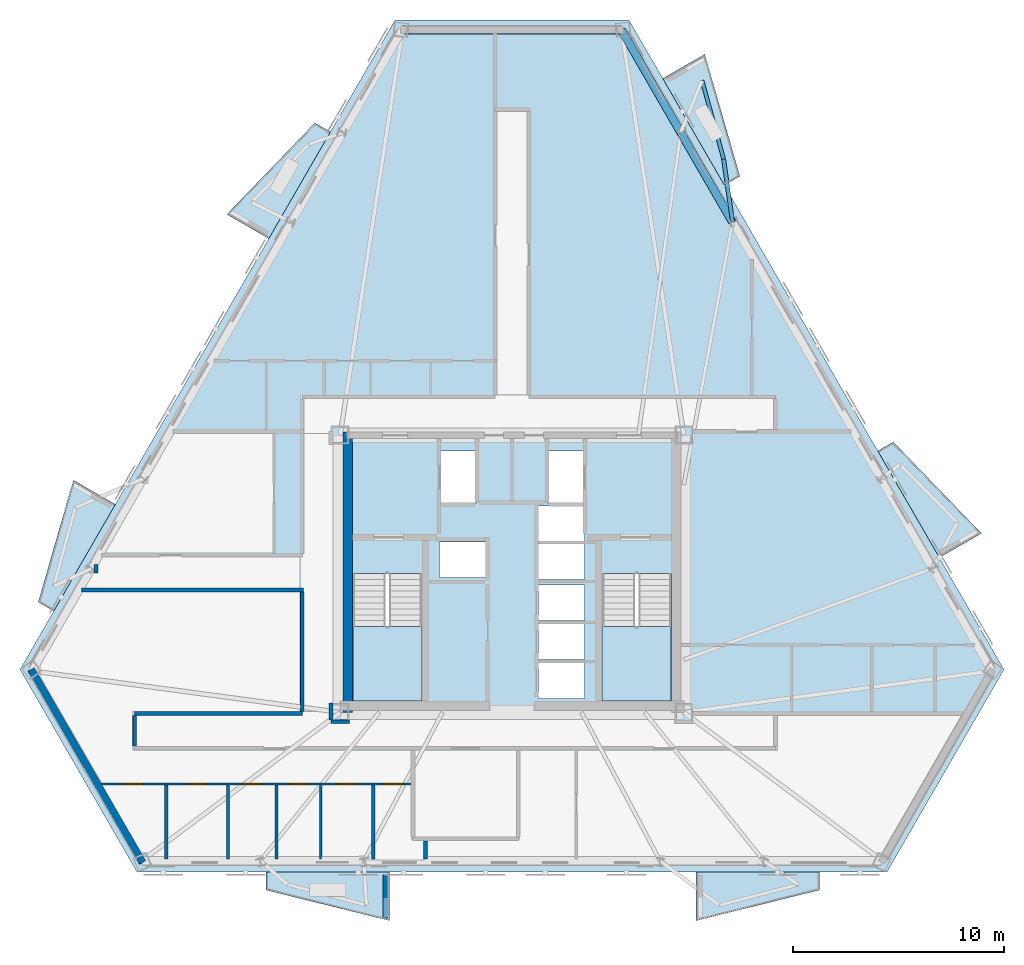
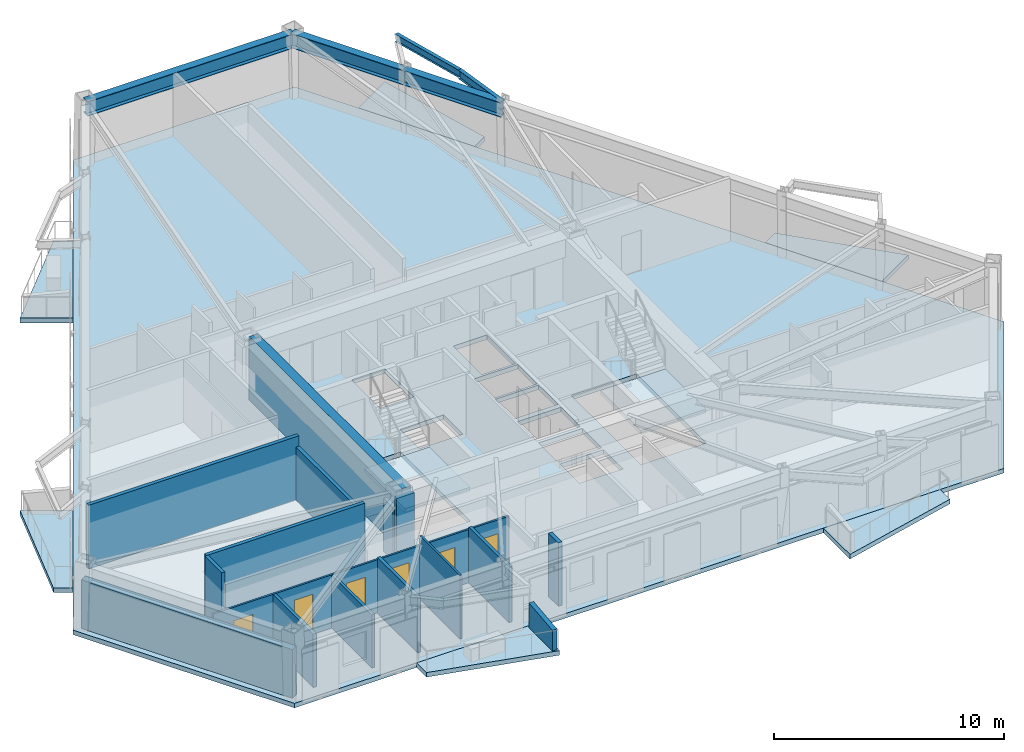
# One storey, part 2 of 9: 17 walls, 9 slabs, 6 doors, 5 beams, 6 openings, 2 elements without a shape of their own.
"""IFC4 building model written with IfcOpenShell, lengths in metres."""

from ifc_helpers import new_model, si_unit, direction, frame, frame_2d, origin, origin_2d, place, context, subcontext, project, spatial, polyline, rectangle, i_section, outline, extrude, material, layer, layer_set, material_profile, profile_set, type_object, element, fill, aggregate, save


model = new_model("IFC4")

# Units and contexts
model_context = context("Model", 3, precision=1e-05, world=origin(), true_north=direction((0.0, 1.0)))
body_context = subcontext(model_context, "Body", "Model", "MODEL_VIEW")
ifc_project = project(units=[si_unit("LENGTHUNIT", "METRE"), si_unit("AREAUNIT", "SQUARE_METRE"), si_unit("VOLUMEUNIT", "CUBIC_METRE"), si_unit("PLANEANGLEUNIT", "RADIAN"), si_unit("MASSUNIT", "GRAM", prefix="KILO")], contexts=[model_context])

# Site, building, storey
site_placement = place(None, origin())
site = spatial("IfcSite", under=ifc_project, at=site_placement, CompositionType="ELEMENT")
building_placement = place(site_placement, origin())
building = spatial("IfcBuilding", under=site, at=building_placement, Name="Oramaril Tower", CompositionType="ELEMENT")
storey_placement = place(building_placement, frame((0.0, 0.0, 126.60009765625)))
storey = spatial("IfcBuildingStorey", under=building, at=storey_placement, Name="L33", CompositionType="ELEMENT", Elevation=126.60009765625)

# Beams
ifc_material_1 = material(Name="Steel ASTM A572 Gr 50", Category="steel")
ifc_material_profile_1 = material_profile(ifc_material_1, i_section(OverallWidth=0.19091796875, OverallDepth=0.45703125, WebThickness=0.009033203125, FlangeThickness=0.014404296875, at=origin_2d()), Name="W18X50")
ifc_profile_set_1 = profile_set([ifc_material_profile_1], Name="Steel ASTM A572 Gr 50")
beam_type_1 = type_object("IfcBeamType", Name="BT-BB1", PredefinedType="BEAM", material=ifc_profile_set_1)
beam_1_placement = place(storey_placement, frame((47.965576171875, 34.25341796875, 3.13134765625), z_axis=(-0.140833448557, 0.990033302353, 0.0), x_axis=(-0.990033302353, -0.140833448557, 0.0)))
element("IfcBeam", 1, at=beam_1_placement, inside=storey, type_object=beam_type_1, Name="L33 Balcony Column-Framed Cantilever 04.1", PredefinedType="BEAM", context=body_context, shape_type="SweptSolid", body=[
    extrude(i_section(OverallWidth=0.19091796875, OverallDepth=0.45703125, WebThickness=0.009033203125, FlangeThickness=0.014404296875, at=origin_2d()), origin(), (0.0, 0.0, 1.0), 3.023193359375),
])
ifc_material_2 = material(Name="Steel ASTM A572 Gr 50", Category="steel")
ifc_material_profile_2 = material_profile(ifc_material_2, i_section(OverallWidth=0.177978515625, OverallDepth=0.404052734375, WebThickness=0.007568359375, FlangeThickness=0.010986328125, at=origin_2d()), Name="W16X36")
ifc_profile_set_2 = profile_set([ifc_material_profile_2], Name="Steel ASTM A572 Gr 50")
beam_type_2 = type_object("IfcBeamType", Name="BT-SB1", PredefinedType="BEAM", material=ifc_profile_set_2)
beam_2_placement = place(storey_placement, frame((47.539794921875, 37.24658203125, 3.157958984375), z_axis=(-0.264382243015, 0.964417974521, 0.0), x_axis=(-0.964417974521, -0.264382243015, 0.0)))
element("IfcBeam", 2, at=beam_2_placement, inside=storey, type_object=beam_type_2, Name="L33 Balcony Edge Tie Beam 04", PredefinedType="BEAM", context=body_context, shape_type="SweptSolid", body=[
    extrude(i_section(OverallWidth=0.177978515625, OverallDepth=0.404052734375, WebThickness=0.007568359375, FlangeThickness=0.010986328125, at=origin_2d()), origin(), (0.0, 0.0, 1.0), 3.8701171875),
])
ifc_material_3 = material(Name="Steel ASTM A572 Gr 50", Category="steel")
ifc_material_profile_3 = material_profile(ifc_material_3, i_section(OverallWidth=0.381103515625, OverallDepth=0.77197265625, WebThickness=0.0166015625, FlangeThickness=0.027099609375, at=origin_2d()), Name="W30X173")
ifc_profile_set_3 = profile_set([ifc_material_profile_3], Name="Steel ASTM A572 Gr 50")
beam_type_3 = type_object("IfcBeamType", Name="BT-SP2", PredefinedType="SPANDREL", material=ifc_profile_set_3)
beam_3_placement = place(storey_placement, frame((47.965576171875, 34.25341796875, 2.973876953125), z_axis=(-0.499994660107, 0.866028486751, 0.0), x_axis=(-0.866028486751, -0.499994660107, 0.0)))
element("IfcBeam", 3, at=beam_3_placement, inside=storey, type_object=beam_type_3, Name="L33 Perimeter Spandrel 11", PredefinedType="SPANDREL", context=body_context, shape_type="SweptSolid", body=[
    extrude(i_section(OverallWidth=0.381103515625, OverallDepth=0.77197265625, WebThickness=0.0166015625, FlangeThickness=0.027099609375, at=origin_2d()), origin(), (0.0, 0.0, 1.0), 4.9169921875),
])
beam_4_placement = place(storey_placement, frame((45.507080078125, 38.51171875, 2.973876953125), z_axis=(-0.50002206238, 0.866012665689, 0.0), x_axis=(-0.866012665689, -0.50002206238, 0.0)))
element("IfcBeam", 4, at=beam_4_placement, inside=storey, type_object=beam_type_3, Name="L33 Perimeter Spandrel 12", PredefinedType="SPANDREL", context=body_context, shape_type="SweptSolid", body=[
    extrude(i_section(OverallWidth=0.381103515625, OverallDepth=0.77197265625, WebThickness=0.0166015625, FlangeThickness=0.027099609375, at=origin_2d()), origin(), (0.0, 0.0, 1.0), 5.619384765625),
])
beam_5_placement = place(storey_placement, frame((42.697265625, 43.378173828125, 2.973876953125), z_axis=(-1.0, 0.0, 0.0), x_axis=(0.0, -1.0, 0.0)))
element("IfcBeam", 5, at=beam_5_placement, inside=storey, type_object=beam_type_3, Name="L33 Perimeter Spandrel 13", PredefinedType="SPANDREL", context=body_context, shape_type="SweptSolid", body=[
    extrude(i_section(OverallWidth=0.381103515625, OverallDepth=0.77197265625, WebThickness=0.0166015625, FlangeThickness=0.027099609375, at=origin_2d()), origin(), (0.0, 0.0, 1.0), 10.39453125),
])

# Slabs
ifc_material_4 = material(Name="Concrete C40/50", Category="concrete")
ifc_layer_1 = layer(ifc_material_4, 0.199951171875)
ifc_layer_set_1 = layer_set([ifc_layer_1], Name="SLT-BAL20")
slab_type_1 = type_object("IfcSlabType", Name="SLT-BAL20", PredefinedType="FLOOR", material=ifc_layer_set_1)
slab_1_placement = place(storey_placement, frame((0.0, 0.0, -0.239990234375)))
element("IfcSlab", 6, at=slab_1_placement, inside=storey, type_object=slab_type_1, Name="L33 Cantilevered Balcony Slab L33-BAL-S2", PredefinedType="FLOOR", context=body_context, shape_type="SweptSolid", body=[
    extrude(outline(polyline([(46.239990234375, 3.42041015625), (52.090087890625, 3.42041015625), (52.090087890625, 2.568359375), (46.239990234375, 1.118408203125), (46.239990234375, 3.42041015625)])), origin(), (0.0, 0.0, 1.0), 0.239990234375),
])
slab_2_placement = place(storey_placement, frame((0.0, 0.0, -0.239990234375)))
element("IfcSlab", 7, at=slab_2_placement, inside=storey, type_object=slab_type_1, Name="L33 Cantilevered Balcony Slab L33-BAL-NE1", PredefinedType="FLOOR", context=body_context, shape_type="SweptSolid", body=[
    extrude(outline(polyline([(57.777587890625, 18.33740234375), (54.8525390625, 23.40380859375), (55.59033203125, 23.829833984375), (59.771240234375, 19.488525390625), (57.777587890625, 18.33740234375)])), origin(), (0.0, 0.0, 1.0), 0.239990234375),
])
slab_3_placement = place(storey_placement, frame((0.0, 0.0, -0.239990234375)))
element("IfcSlab", 8, at=slab_3_placement, inside=storey, type_object=slab_type_1, Name="L33 Cantilevered Balcony Slab L33-BAL-NW2", PredefinedType="FLOOR", context=body_context, shape_type="SweptSolid", body=[
    extrude(outline(polyline([(18.684814453125, 20.87060546875), (15.760009765625, 15.804443359375), (15.022216796875, 16.23046875), (16.69140625, 22.021484375), (18.684814453125, 20.87060546875)])), origin(), (0.0, 0.0, 1.0), 0.239990234375),
])
ifc_material_5 = material(Name="Concrete C50/60", Category="concrete")
ifc_layer_2 = layer(ifc_material_5, 0.239990234375)
ifc_layer_set_2 = layer_set([ifc_layer_2], Name="SLT-FLR24")
slab_type_2 = type_object("IfcSlabType", Name="SLT-FLR24", PredefinedType="FLOOR", material=ifc_layer_set_2)
slab_4_placement = place(storey_placement, frame((0.0, 0.0, -0.239990234375)))
element("IfcSlab", 9, at=slab_4_placement, inside=storey, type_object=slab_type_2, Name="L33 Structural Floor Slab", PredefinedType="FLOOR", context=body_context, shape_type="SweptSolid", body=[
    extrude(outline(polyline([(14.158203125, 13.0341796875), (19.7099609375, 3.418212890625), (55.2900390625, 3.418212890625), (60.841796875, 13.0341796875), (43.0517578125, 43.847412109375), (31.9482421875, 43.847412109375), (14.158203125, 13.0341796875)]), holes=[polyline([(29.949951171875, 17.58935546875), (29.949951171875, 11.550048828125), (33.219970703125, 11.550048828125), (33.219970703125, 17.58935546875), (29.949951171875, 17.58935546875)]), polyline([(41.780029296875, 17.58935546875), (41.780029296875, 11.550048828125), (45.050048828125, 11.550048828125), (45.050048828125, 17.58935546875), (41.780029296875, 17.58935546875)]), polyline([(34.110107421875, 20.909912109375), (35.7900390625, 20.909912109375), (35.7900390625, 23.389892578125), (34.110107421875, 23.389892578125), (34.110107421875, 20.909912109375)]), polyline([(39.2099609375, 20.909912109375), (40.889892578125, 20.909912109375), (40.889892578125, 23.389892578125), (39.2099609375, 23.389892578125), (39.2099609375, 20.909912109375)]), polyline([(38.760009765625, 11.659912109375), (40.93994140625, 11.659912109375), (40.93994140625, 13.340087890625), (38.760009765625, 13.340087890625), (38.760009765625, 11.659912109375)]), polyline([(38.760009765625, 13.510009765625), (40.93994140625, 13.510009765625), (40.93994140625, 15.18994140625), (38.760009765625, 15.18994140625), (38.760009765625, 13.510009765625)]), polyline([(38.760009765625, 15.360107421875), (40.93994140625, 15.360107421875), (40.93994140625, 17.0400390625), (38.760009765625, 17.0400390625), (38.760009765625, 15.360107421875)]), polyline([(34.06005859375, 17.409912109375), (36.239990234375, 17.409912109375), (36.239990234375, 19.090087890625), (34.06005859375, 19.090087890625), (34.06005859375, 17.409912109375)]), polyline([(38.760009765625, 17.31005859375), (40.93994140625, 17.31005859375), (40.93994140625, 18.989990234375), (38.760009765625, 18.989990234375), (38.760009765625, 17.31005859375)]), polyline([(38.760009765625, 19.110107421875), (40.93994140625, 19.110107421875), (40.93994140625, 20.7900390625), (38.760009765625, 20.7900390625), (38.760009765625, 19.110107421875)])]), origin(), (0.0, 0.0, 1.0), 0.239990234375),
])

# Stair, slab
ifc_material_6 = material(Name="Concrete C50/60", Category="concrete")
stair_type = type_object("IfcStairType", Name="STT-DG-3600", PredefinedType="HALF_TURN_STAIR", material=ifc_material_6)
stair_1_placement = place(storey_placement, origin())
stair_1 = element("IfcStair", 10, at=stair_1_placement, inside=storey, type_object=stair_type, Name="L33 Protected PFP Exit Stair ST-1", PredefinedType="HALF_TURN_STAIR")
ifc_material_7 = material(Name="Concrete C50/60", Category="concrete")
ifc_layer_3 = layer(ifc_material_7, 0.199951171875)
ifc_layer_set_3 = layer_set([ifc_layer_3], Name="SLT-LND20")
slab_type_3 = type_object("IfcSlabType", Name="SLT-LND20", PredefinedType="LANDING", material=ifc_layer_set_3)
slab_5_placement = place(storey_placement, frame((0.0, 0.0, 1.599853515625)))
slab_5 = element("IfcSlab", 11, at=slab_5_placement, type_object=slab_type_3, Name="ST-1 landing 1", PredefinedType="LANDING", context=body_context, shape_type="SweptSolid", body=[
    extrude(outline(polyline([(29.949951171875, 15.070068359375), (29.949951171875, 11.550048828125), (33.219970703125, 11.550048828125), (33.219970703125, 15.070068359375), (29.949951171875, 15.070068359375)])), origin(), (0.0, 0.0, 1.0), 0.199951171875),
])
aggregate(stair_1, [slab_5])

stair_2_placement = place(storey_placement, origin())
stair_2 = element("IfcStair", 12, at=stair_2_placement, inside=storey, type_object=stair_type, Name="L33 Protected PFP Exit Stair ST-2", PredefinedType="HALF_TURN_STAIR")
slab_6_placement = place(storey_placement, frame((0.0, 0.0, 1.599853515625)))
slab_6 = element("IfcSlab", 13, at=slab_6_placement, type_object=slab_type_3, Name="ST-2 landing 1", PredefinedType="LANDING", context=body_context, shape_type="SweptSolid", body=[
    extrude(outline(polyline([(41.780029296875, 15.070068359375), (41.780029296875, 11.550048828125), (45.050048828125, 11.550048828125), (45.050048828125, 15.070068359375), (41.780029296875, 15.070068359375)])), origin(), (0.0, 0.0, 1.0), 0.199951171875),
])
aggregate(stair_2, [slab_6])

# Slabs
ifc_material_8 = material(Name="Concrete C40/50", Category="concrete")
ifc_layer_4 = layer(ifc_material_8, 0.18994140625)
ifc_layer_set_4 = layer_set([ifc_layer_4], Name="SLT-PLN19")
slab_type_4 = type_object("IfcSlabType", Name="SLT-PLN19", PredefinedType="FLOOR", material=ifc_layer_set_4)
slab_7_placement = place(storey_placement, frame((0.0, 0.0, -0.239990234375)))
element("IfcSlab", 14, at=slab_7_placement, inside=storey, type_object=slab_type_4, Name="L33 Tree Planter Balcony Slab L33-BAL-S1", PredefinedType="FLOOR", context=body_context, shape_type="SweptSolid", body=[
    extrude(outline(polyline([(25.8349609375, 3.42041015625), (31.684814453125, 3.42041015625), (31.684814453125, 1.118408203125), (25.8349609375, 2.568359375), (25.8349609375, 3.42041015625)])), origin(), (0.0, 0.0, 1.0), 0.239990234375),
])
slab_8_placement = place(storey_placement, frame((0.0, 0.0, -0.239990234375)))
element("IfcSlab", 15, at=slab_8_placement, inside=storey, type_object=slab_type_4, Name="L33 Tree Planter Balcony Slab L33-BAL-NE2", PredefinedType="FLOOR", context=body_context, shape_type="SweptSolid", body=[
    extrude(outline(polyline([(47.574951171875, 36.009033203125), (44.64990234375, 41.0751953125), (46.6435546875, 42.226318359375), (48.312744140625, 36.43505859375), (47.574951171875, 36.009033203125)])), origin(), (0.0, 0.0, 1.0), 0.239990234375),
])
slab_9_placement = place(storey_placement, frame((0.0, 0.0, -0.239990234375)))
element("IfcSlab", 16, at=slab_9_placement, inside=storey, type_object=slab_type_4, Name="L33 Tree Planter Balcony Slab L33-BAL-NW1", PredefinedType="FLOOR", context=body_context, shape_type="SweptSolid", body=[
    extrude(outline(polyline([(28.887451171875, 38.5419921875), (25.96240234375, 33.475830078125), (23.968994140625, 34.626708984375), (28.149658203125, 38.968017578125), (28.887451171875, 38.5419921875)])), origin(), (0.0, 0.0, 1.0), 0.239990234375),
])

# Walls
ifc_material_9 = material(Name="Warm Cream Limestone", Category="masonry")
ifc_layer_5 = layer(ifc_material_9, 0.340087890625)
ifc_layer_set_5 = layer_set([ifc_layer_5], Name="WT-EXT34")
wall_type_1 = type_object("IfcWallType", Name="WT-EXT34", PredefinedType="SOLIDWALL", material=ifc_layer_set_5)
wall_1_placement = place(storey_placement, frame((14.689453125, 13.0341796875, 0.0), z_axis=(0.0, 0.0, 1.0), x_axis=(0.500003640647, -0.866023301845, 0.0)))
element("IfcWall", 17, at=wall_1_placement, inside=storey, type_object=wall_type_1, Name="L33 Tower Limestone Facade Wall 1M", PredefinedType="SOLIDWALL", context=body_context, shape_type="SweptSolid", body=[
    extrude(rectangle(XDim=10.572265625, YDim=0.340087890625, at=frame_2d((5.2861328125, 0.0))), origin(), (0.0, 0.0, 1.0), 2.577880859375),
])
ifc_material_10 = material(Name="Concrete C40/50", Category="concrete")
ifc_layer_6 = layer(ifc_material_10, 0.22998046875)
ifc_layer_set_6 = layer_set([ifc_layer_6], Name="WT-PRP23")
wall_type_2 = type_object("IfcWallType", Name="WT-PRP23", PredefinedType="PARAPET", material=ifc_layer_set_6)
wall_2_placement = place(storey_placement, frame((31.5048828125, 3.2802734375, 0.0), z_axis=(0.0, 0.0, 1.0), x_axis=(0.0, -1.0, 0.0)))
element("IfcWall", 18, at=wall_2_placement, inside=storey, type_object=wall_type_2, Name="L33 Trapezoidal Balcony Frame Cheek L33-BAL-S1-R", PredefinedType="PARAPET", context=body_context, shape_type="SweptSolid", body=[
    extrude(outline(polyline([(0.0, 0.0), (2.0419921875, 0.0), (2.0419921875, 1.099853515625), (0.0, 1.31982421875), (0.0, 0.0)])), frame((0.0, 0.114990234375, 0.0), z_axis=(0.0, -1.0, 0.0), x_axis=(1.0, 0.0, 0.0)), (0.0, 0.0, 1.0), 0.22998046875),
])

# Wall, openings, doors
ifc_material_11 = material(Name="Acoustic Gypsum Board Partition")
ifc_layer_7 = layer(ifc_material_11, 0.10009765625)
ifc_layer_set_7 = layer_set([ifc_layer_7], Name="WT-PT10")
wall_type_3 = type_object("IfcWallType", Name="WT-PT10", PredefinedType="PARTITIONING", material=ifc_layer_set_7)
wall_3_placement = place(storey_placement, frame((18.027587890625, 7.60009765625, 0.0), z_axis=(0.0, 0.0, 1.0), x_axis=(1.0, 0.0, 0.0)))
wall_3 = element("IfcWall", 19, at=wall_3_placement, inside=storey, type_object=wall_type_3, Name="L33 Interior Partition PT-10", PredefinedType="PARTITIONING", context=body_context, shape_type="SweptSolid", body=[
    extrude(rectangle(XDim=14.822509765625, YDim=0.10009765625, at=frame_2d((7.4111328125, 0.0))), origin(), (0.0, 0.0, 1.0), 2.81396484375),
])
opening_1_placement = place(wall_3_placement, frame((1.032958984375, 0.0, 0.0)))
opening_1 = element("IfcOpeningElement", 20, at=opening_1_placement, cuts=wall_3, Name="Opening D-L33-01", PredefinedType="OPENING", context=body_context, shape_type="SweptSolid", body=[
    extrude(rectangle(XDim=0.949951171875, YDim=2.10009765625, at=frame_2d((0.47509765625, 1.050048828125))), frame((0.0, 0.050048828125, 0.0), z_axis=(0.0, -1.0, 0.0), x_axis=(1.0, 0.0, 0.0)), (0.0, 0.0, 1.0), 0.10009765625),
])
opening_2_placement = place(wall_3_placement, frame((4.079833984375, 0.0, 0.0)))
opening_2 = element("IfcOpeningElement", 21, at=opening_2_placement, cuts=wall_3, Name="Opening D-L33-02", PredefinedType="OPENING", context=body_context, shape_type="SweptSolid", body=[
    extrude(rectangle(XDim=0.919921875, YDim=2.1201171875, at=frame_2d((0.4599609375, 1.06005859375))), frame((0.0, 0.050048828125, 0.0), z_axis=(0.0, -1.0, 0.0), x_axis=(1.0, 0.0, 0.0)), (0.0, 0.0, 1.0), 0.10009765625),
])
opening_3_placement = place(wall_3_placement, frame((6.6787109375, 0.0, 0.0)))
opening_3 = element("IfcOpeningElement", 22, at=opening_3_placement, cuts=wall_3, Name="Opening D-L33-03", PredefinedType="OPENING", context=body_context, shape_type="SweptSolid", body=[
    extrude(rectangle(XDim=0.949951171875, YDim=2.10009765625, at=frame_2d((0.47509765625, 1.050048828125))), frame((0.0, 0.050048828125, 0.0), z_axis=(0.0, -1.0, 0.0), x_axis=(1.0, 0.0, 0.0)), (0.0, 0.0, 1.0), 0.10009765625),
])
opening_4_placement = place(wall_3_placement, frame((8.874267578125, 0.0, 0.0)))
opening_4 = element("IfcOpeningElement", 23, at=opening_4_placement, cuts=wall_3, Name="Opening D-L33-04", PredefinedType="OPENING", context=body_context, shape_type="SweptSolid", body=[
    extrude(rectangle(XDim=0.949951171875, YDim=2.10009765625, at=frame_2d((0.47509765625, 1.050048828125))), frame((0.0, 0.050048828125, 0.0), z_axis=(0.0, -1.0, 0.0), x_axis=(1.0, 0.0, 0.0)), (0.0, 0.0, 1.0), 0.10009765625),
])
opening_5_placement = place(wall_3_placement, frame((11.16357421875, 0.0, 0.0)))
opening_5 = element("IfcOpeningElement", 24, at=opening_5_placement, cuts=wall_3, Name="Opening D-L33-05", PredefinedType="OPENING", context=body_context, shape_type="SweptSolid", body=[
    extrude(rectangle(XDim=0.949951171875, YDim=2.10009765625, at=frame_2d((0.47509765625, 1.050048828125))), frame((0.0, 0.050048828125, 0.0), z_axis=(0.0, -1.0, 0.0), x_axis=(1.0, 0.0, 0.0)), (0.0, 0.0, 1.0), 0.10009765625),
])
opening_6_placement = place(wall_3_placement, frame((13.40234375, 0.0, 0.0)))
opening_6 = element("IfcOpeningElement", 25, at=opening_6_placement, cuts=wall_3, Name="Opening D-L33-06", PredefinedType="OPENING", context=body_context, shape_type="SweptSolid", body=[
    extrude(rectangle(XDim=0.8798828125, YDim=2.080078125, at=frame_2d((0.43994140625, 1.0400390625))), frame((0.0, 0.050048828125, 0.0), z_axis=(0.0, -1.0, 0.0), x_axis=(1.0, 0.0, 0.0)), (0.0, 0.0, 1.0), 0.10009765625),
])
ifc_material_12 = material(Name="FSC Brazilian Freijo Hardwood", Category="wood")
door_type_1 = type_object("IfcDoorType", Name="DT-BATH", OperationType="NOTDEFINED", PredefinedType="DOOR", material=ifc_material_12)
door_1_placement = place(opening_6_placement, origin())
door_1 = element("IfcDoor", 26, at=door_1_placement, inside=storey, type_object=door_type_1, Name="L33 Flat L33-U2 Bathroom Door D-L33-06", OperationType="SINGLE_SWING_LEFT", OverallHeight=2.080078125, OverallWidth=0.8798828125, PredefinedType="DOOR", context=body_context, shape_type="SweptSolid", body=[
    extrude(rectangle(XDim=0.8798828125, YDim=2.080078125, at=frame_2d((0.43994140625, 1.0400390625))), frame((0.0, 0.02490234375, 0.0), z_axis=(0.0, -1.0, 0.0), x_axis=(1.0, 0.0, 0.0)), (0.0, 0.0, 1.0), 0.050048828125),
])
fill(opening_6, door_1)
ifc_material_13 = material(Name="FSC Brazilian Freijo Hardwood", Category="wood")
door_type_2 = type_object("IfcDoorType", Name="DT-BED", OperationType="NOTDEFINED", PredefinedType="DOOR", material=ifc_material_13)
door_2_placement = place(opening_2_placement, origin())
door_2 = element("IfcDoor", 27, at=door_2_placement, inside=storey, type_object=door_type_2, Name="L33 Flat L33-U2 Bedroom 2 Door D-L33-02", OperationType="SINGLE_SWING_LEFT", OverallHeight=2.1201171875, OverallWidth=0.919921875, PredefinedType="DOOR", context=body_context, shape_type="SweptSolid", body=[
    extrude(rectangle(XDim=0.919921875, YDim=2.1201171875, at=frame_2d((0.4599609375, 1.06005859375))), frame((0.0, 0.02490234375, 0.0), z_axis=(0.0, -1.0, 0.0), x_axis=(1.0, 0.0, 0.0)), (0.0, 0.0, 1.0), 0.050048828125),
])
fill(opening_2, door_2)
ifc_material_14 = material(Name="FSC Brazilian Freijo Hardwood", Category="wood")
door_type_3 = type_object("IfcDoorType", Name="DT-STDY", OperationType="NOTDEFINED", PredefinedType="DOOR", material=ifc_material_14)
door_3_placement = place(opening_1_placement, origin())
door_3 = element("IfcDoor", 28, at=door_3_placement, inside=storey, type_object=door_type_3, Name="L33 Flat L33-U2 Breakfast Dining Room Door D-L33-01", OperationType="SINGLE_SWING_RIGHT", OverallHeight=2.10009765625, OverallWidth=0.949951171875, PredefinedType="DOOR", context=body_context, shape_type="SweptSolid", body=[
    extrude(rectangle(XDim=0.949951171875, YDim=2.10009765625, at=frame_2d((0.47509765625, 1.050048828125))), frame((0.0, 0.02490234375, 0.0), z_axis=(0.0, -1.0, 0.0), x_axis=(1.0, 0.0, 0.0)), (0.0, 0.0, 1.0), 0.050048828125),
])
fill(opening_1, door_3)
door_4_placement = place(opening_3_placement, origin())
door_4 = element("IfcDoor", 29, at=door_4_placement, inside=storey, type_object=door_type_3, Name="L33 Flat L33-U2 Breakfast Dining Room Door D-L33-03", OperationType="SINGLE_SWING_RIGHT", OverallHeight=2.10009765625, OverallWidth=0.949951171875, PredefinedType="DOOR", context=body_context, shape_type="SweptSolid", body=[
    extrude(rectangle(XDim=0.949951171875, YDim=2.10009765625, at=frame_2d((0.47509765625, 1.050048828125))), frame((0.0, 0.02490234375, 0.0), z_axis=(0.0, -1.0, 0.0), x_axis=(1.0, 0.0, 0.0)), (0.0, 0.0, 1.0), 0.050048828125),
])
fill(opening_3, door_4)
door_5_placement = place(opening_4_placement, origin())
door_5 = element("IfcDoor", 30, at=door_5_placement, inside=storey, type_object=door_type_3, Name="L33 Flat L33-U2 Private Dining Room Door D-L33-04", OperationType="SINGLE_SWING_LEFT", OverallHeight=2.10009765625, OverallWidth=0.949951171875, PredefinedType="DOOR", context=body_context, shape_type="SweptSolid", body=[
    extrude(rectangle(XDim=0.949951171875, YDim=2.10009765625, at=frame_2d((0.47509765625, 1.050048828125))), frame((0.0, 0.02490234375, 0.0), z_axis=(0.0, -1.0, 0.0), x_axis=(1.0, 0.0, 0.0)), (0.0, 0.0, 1.0), 0.050048828125),
])
fill(opening_4, door_5)
door_6_placement = place(opening_5_placement, origin())
door_6 = element("IfcDoor", 31, at=door_6_placement, inside=storey, type_object=door_type_3, Name="L33 Flat L33-U2 Kitchen Door D-L33-05", OperationType="SINGLE_SWING_RIGHT", OverallHeight=2.10009765625, OverallWidth=0.949951171875, PredefinedType="DOOR", context=body_context, shape_type="SweptSolid", body=[
    extrude(rectangle(XDim=0.949951171875, YDim=2.10009765625, at=frame_2d((0.47509765625, 1.050048828125))), frame((0.0, 0.02490234375, 0.0), z_axis=(0.0, -1.0, 0.0), x_axis=(1.0, 0.0, 0.0)), (0.0, 0.0, 1.0), 0.050048828125),
])
fill(opening_5, door_6)

# Walls
wall_4_placement = place(storey_placement, frame((28.419921875, 4.05224609375, 0.0), z_axis=(0.0, 0.0, 1.0), x_axis=(0.0, 1.0, 0.0)))
element("IfcWall", 32, at=wall_4_placement, inside=storey, type_object=wall_type_3, Name="L33 Interior Partition PT-10", PredefinedType="PARTITIONING", context=body_context, shape_type="SweptSolid", body=[
    extrude(rectangle(XDim=3.49365234375, YDim=0.10009765625, at=frame_2d((1.746826171875, 0.0))), origin(), (0.0, 0.0, 1.0), 3.35986328125),
])
ifc_material_15 = material(Name="Acoustic Gypsum Board Partition")
ifc_layer_8 = layer(ifc_material_15, 0.139892578125)
ifc_layer_set_8 = layer_set([ifc_layer_8], Name="WT-PT14")
wall_type_4 = type_object("IfcWallType", Name="WT-PT14", PredefinedType="PARTITIONING", material=ifc_layer_set_8)
wall_5_placement = place(storey_placement, frame((24.030029296875, 4.05224609375, 0.0), z_axis=(0.0, 0.0, 1.0), x_axis=(0.0, 1.0, 0.0)))
element("IfcWall", 33, at=wall_5_placement, inside=storey, type_object=wall_type_4, Name="L33 Interior Partition PT-14", PredefinedType="PARTITIONING", context=body_context, shape_type="SweptSolid", body=[
    extrude(rectangle(XDim=3.49365234375, YDim=0.139892578125, at=frame_2d((1.746826171875, 0.0))), origin(), (0.0, 0.0, 1.0), 2.81396484375),
])
ifc_material_16 = material(Name="Acoustic Gypsum Board Partition")
ifc_layer_9 = layer(ifc_material_16, 0.159912109375)
ifc_layer_set_9 = layer_set([ifc_layer_9], Name="WT-PT16")
wall_type_5 = type_object("IfcWallType", Name="WT-PT16", PredefinedType="PARTITIONING", material=ifc_layer_set_9)
wall_6_placement = place(storey_placement, frame((21.10009765625, 4.05224609375, 0.0), z_axis=(0.0, 0.0, 1.0), x_axis=(0.0, 1.0, 0.0)))
element("IfcWall", 34, at=wall_6_placement, inside=storey, type_object=wall_type_5, Name="L33 Interior Partition PT-16", PredefinedType="PARTITIONING", context=body_context, shape_type="SweptSolid", body=[
    extrude(rectangle(XDim=3.49365234375, YDim=0.159912109375, at=frame_2d((1.746826171875, 0.0))), origin(), (0.0, 0.0, 1.0), 2.81396484375),
])
for number, where, z_axis, x_axis, name in (
    (35, (26.330078125, 4.05224609375, 0.0), (0.0, 0.0, 1.0), (0.0, 1.0, 0.0), "L33 Interior Partition PT-16"),
    (36, (30.909912109375, 4.05224609375, 0.0), (0.0, 0.0, 1.0), (0.0, 1.0, 0.0), "L33 Interior Partition PT-16"),
):
    element("IfcWall", number, at=place(storey_placement, frame(where, z_axis=z_axis, x_axis=x_axis)), inside=storey, type_object=wall_type_5, Name=name, PredefinedType="PARTITIONING", context=body_context, shape_type="SweptSolid", body=[
        extrude(rectangle(XDim=3.49365234375, YDim=0.159912109375, at=frame_2d((1.746826171875, 0.0))), origin(), (0.0, 0.0, 1.0), 2.94580078125),
    ])
ifc_material_17 = material(Name="Autoclaved Cellular Concrete Block", Category="concrete")
ifc_layer_10 = layer(ifc_material_17, 0.179931640625)
ifc_layer_set_10 = layer_set([ifc_layer_10], Name="WT-PT18")
wall_type_6 = type_object("IfcWallType", Name="WT-PT18", PredefinedType="PARTITIONING", material=ifc_layer_set_10)
wall_7_placement = place(storey_placement, frame((28.905029296875, 10.550048828125, 0.0), z_axis=(0.0, 0.0, 1.0), x_axis=(1.0, 0.0, 0.0)))
element("IfcWall", 37, at=wall_7_placement, inside=storey, type_object=wall_type_6, Name="L33 Interior Partition PT-18", PredefinedType="PARTITIONING", context=body_context, shape_type="SweptSolid", body=[
    extrude(rectangle(XDim=0.889892578125, YDim=0.179931640625, at=frame_2d((0.44482421875, 0.0))), origin(), (0.0, 0.0, 1.0), 3.35986328125),
])
wall_8_placement = place(storey_placement, frame((19.60009765625, 10.949951171875, 0.0), z_axis=(0.0, 0.0, 1.0), x_axis=(1.0, 0.0, 0.0)))
element("IfcWall", 38, at=wall_8_placement, inside=storey, type_object=wall_type_6, Name="L33 Interior Partition PT-18", PredefinedType="PARTITIONING", context=body_context, shape_type="SweptSolid", body=[
    extrude(rectangle(XDim=7.949951171875, YDim=0.179931640625, at=frame_2d((3.97509765625, 0.0))), origin(), (0.0, 0.0, 1.0), 3.35986328125),
])
wall_9_placement = place(storey_placement, frame((17.064697265625, 16.800048828125, 0.0), z_axis=(0.0, 0.0, 1.0), x_axis=(1.0, 0.0, 0.0)))
element("IfcWall", 39, at=wall_9_placement, inside=storey, type_object=wall_type_6, Name="L33 Interior Partition PT-18", PredefinedType="PARTITIONING", context=body_context, shape_type="SweptSolid", body=[
    extrude(rectangle(XDim=10.54541015625, YDim=0.179931640625, at=frame_2d((5.272705078125, 0.0))), origin(), (0.0, 0.0, 1.0), 3.35986328125),
])
wall_10_placement = place(storey_placement, frame((17.77001953125, 17.60546875, 0.0), z_axis=(0.0, 0.0, 1.0), x_axis=(0.0, 1.0, 0.0)))
element("IfcWall", 40, at=wall_10_placement, inside=storey, type_object=wall_type_6, Name="L33 Interior Partition PT-18", PredefinedType="PARTITIONING", context=body_context, shape_type="SweptSolid", body=[
    extrude(rectangle(XDim=0.41650390625, YDim=0.179931640625, at=frame_2d((0.208251953125, 0.0))), origin(), (0.0, 0.0, 1.0), 2.577880859375),
])
wall_11_placement = place(storey_placement, frame((19.60009765625, 9.39404296875, 0.0), z_axis=(0.0, 0.0, 1.0), x_axis=(0.0, 1.0, 0.0)))
element("IfcWall", 41, at=wall_11_placement, inside=storey, type_object=wall_type_6, Name="L33 Interior Partition PT-18", PredefinedType="PARTITIONING", context=body_context, shape_type="SweptSolid", body=[
    extrude(rectangle(XDim=1.4619140625, YDim=0.179931640625, at=frame_2d((0.73095703125, 0.0))), origin(), (0.0, 0.0, 1.0), 3.35986328125),
])
wall_12_placement = place(storey_placement, frame((27.550048828125, 11.0439453125, 0.0), z_axis=(0.0, 0.0, 1.0), x_axis=(0.0, 1.0, 0.0)))
element("IfcWall", 42, at=wall_12_placement, inside=storey, type_object=wall_type_6, Name="L33 Interior Partition PT-18", PredefinedType="PARTITIONING", context=body_context, shape_type="SweptSolid", body=[
    extrude(rectangle(XDim=5.662109375, YDim=0.179931640625, at=frame_2d((2.8310546875, 0.0))), origin(), (0.0, 0.0, 1.0), 2.81396484375),
])
wall_13_placement = place(storey_placement, frame((28.909912109375, 10.64404296875, 0.0), z_axis=(0.0, 0.0, 1.0), x_axis=(0.0, 1.0, 0.0)))
element("IfcWall", 43, at=wall_13_placement, inside=storey, type_object=wall_type_6, Name="L33 Interior Partition PT-18", PredefinedType="PARTITIONING", context=body_context, shape_type="SweptSolid", body=[
    extrude(rectangle(XDim=0.7958984375, YDim=0.179931640625, at=frame_2d((0.39794921875, 0.0))), origin(), (0.0, 0.0, 1.0), 2.81396484375),
])
wall_14_placement = place(storey_placement, frame((33.39990234375, 4.05224609375, 0.0), z_axis=(0.0, 0.0, 1.0), x_axis=(0.0, 1.0, 0.0)))
element("IfcWall", 44, at=wall_14_placement, inside=storey, type_object=wall_type_6, Name="L33 Interior Partition PT-18", PredefinedType="PARTITIONING", context=body_context, shape_type="SweptSolid", body=[
    extrude(rectangle(XDim=0.853759765625, YDim=0.179931640625, at=frame_2d((0.4267578125, 0.0))), origin(), (0.0, 0.0, 1.0), 3.35986328125),
])
ifc_material_18 = material(Name="Concrete C50/60", Category="concrete")
ifc_layer_11 = layer(ifc_material_18, 0.449951171875)
ifc_layer_set_11 = layer_set([ifc_layer_11], Name="WT-SH45")
wall_type_7 = type_object("IfcWallType", Name="WT-SH45", PredefinedType="SHEAR", material=ifc_layer_set_11)
wall_15_placement = place(storey_placement, frame((29.715087890625, 11.0, 0.0), z_axis=(0.0, 0.0, 1.0), x_axis=(0.0, 1.0, 0.0)))
element("IfcWall", 45, at=wall_15_placement, inside=storey, type_object=wall_type_7, Name="L33 Core Shear Wall CW-W", PredefinedType="SHEAR", context=body_context, shape_type="SweptSolid", body=[
    extrude(rectangle(XDim=13.300048828125, YDim=0.449951171875, at=frame_2d((6.64990234375, 0.0))), origin(), (0.0, 0.0, 1.0), 3.35986328125),
])

save(model, "model.ifc")
